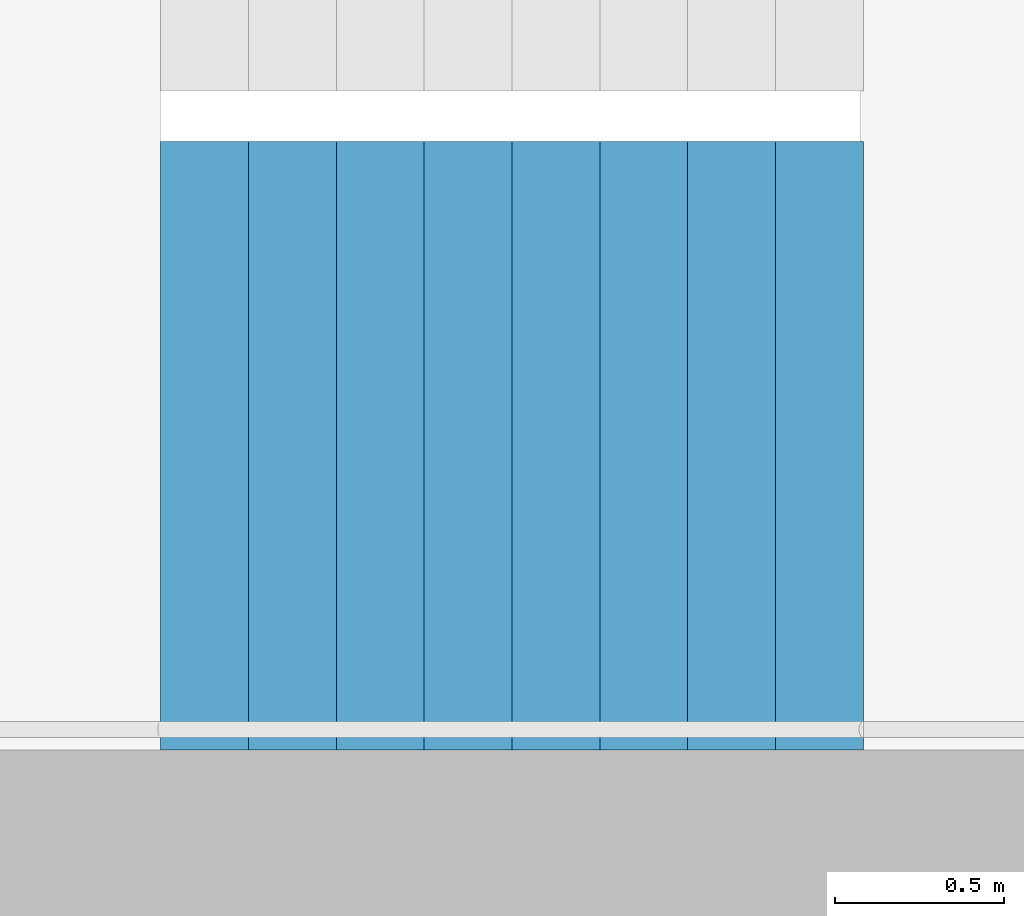
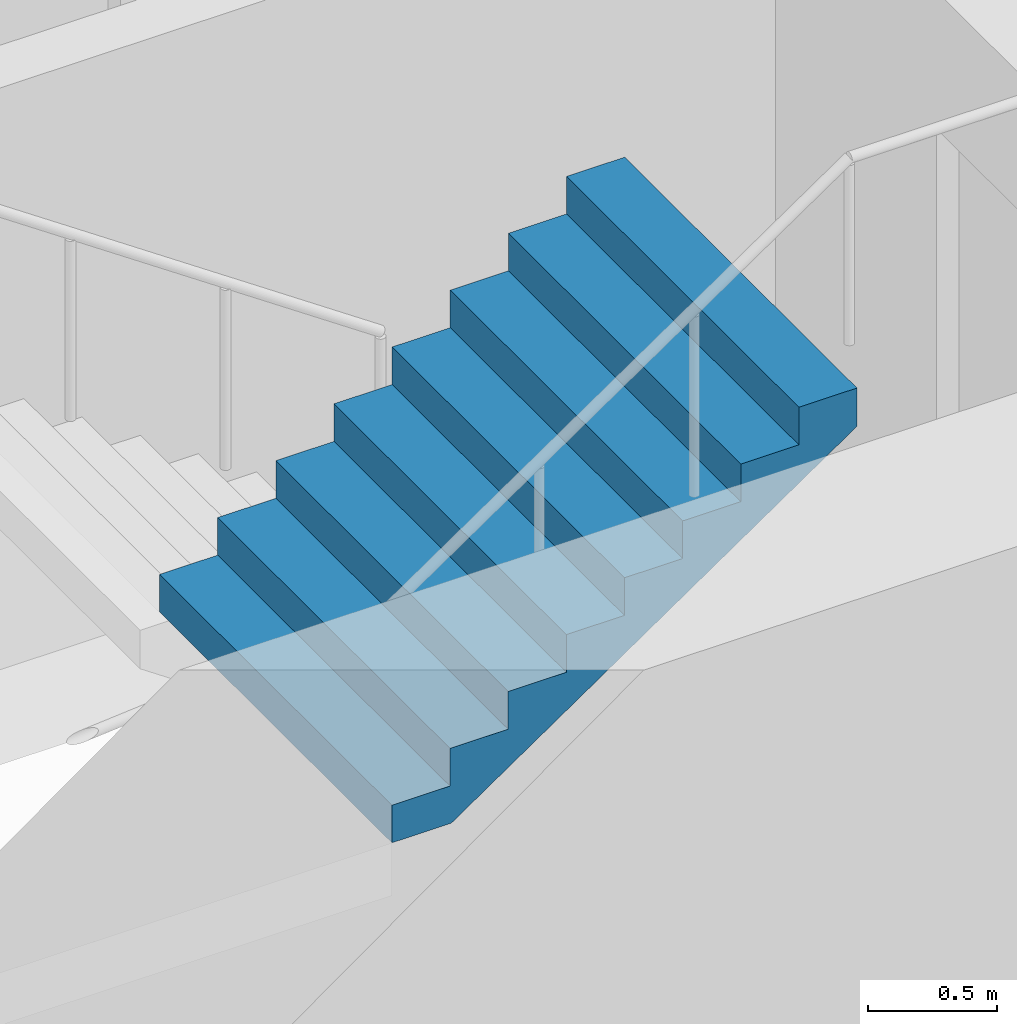
# One storey, part 17 of 25: 1 stair flight, 1 element without a shape of its own.
"""IFC4 building model written with IfcOpenShell, lengths in metres."""

from ifc_helpers import new_model, si_unit, direction, frame, origin, place, context, subcontext, project, spatial, triangles, material, type_object, element, aggregate, save


model = new_model("IFC4")

# Units and contexts
model_context = context("Model", 3, precision=1e-05, world=origin(), true_north=direction((0.0, 1.0)))
body_context = subcontext(model_context, "Body", "Model", "MODEL_VIEW")
ifc_project = project(units=[si_unit("LENGTHUNIT", "METRE"), si_unit("AREAUNIT", "SQUARE_METRE"), si_unit("VOLUMEUNIT", "CUBIC_METRE"), si_unit("PLANEANGLEUNIT", "RADIAN"), si_unit("MASSUNIT", "GRAM", prefix="KILO")], contexts=[model_context])

# Site, building, storey
site_placement = place(None, origin())
site = spatial("IfcSite", under=ifc_project, at=site_placement, CompositionType="ELEMENT")
building_placement = place(site_placement, origin())
building = spatial("IfcBuilding", under=site, at=building_placement, Name="Hakoniwa Tower and Hamabe Station Hall", CompositionType="ELEMENT")
storey_placement = place(building_placement, frame((0.0, 0.0, 147.0)))
storey = spatial("IfcBuildingStorey", under=building, at=storey_placement, Name="L41", CompositionType="ELEMENT", Elevation=147.0)

# Stair, stair flight
ifc_material_1 = material(Name="Concrete C40", Category="concrete")
stair_type = type_object("IfcStairType", Name="ESCAPE STAIR 1800", PredefinedType="HALF_TURN_STAIR", material=ifc_material_1)
stair_placement = place(storey_placement, origin())
stair = element("IfcStair", 1, at=stair_placement, inside=storey, type_object=stair_type, Name="Escape stair ST-2 L41", PredefinedType="HALF_TURN_STAIR")
ifc_material_2 = material(Name="Concrete C40", Category="concrete")
stair_flight_type = type_object("IfcStairFlightType", Name="STAIR FLIGHT 1800", PredefinedType="STRAIGHT", material=ifc_material_2)
stair_flight_placement = place(storey_placement, frame((-25.47998046875, -6.60009765625, 1.60009765625), z_axis=(0.0, 0.0, 1.0), x_axis=(1.0, 0.0, 0.0)))
stair_flight = element("IfcStairFlight", 2, at=stair_flight_placement, type_object=stair_flight_type, Name="ST-2 flight 2", NumberOfRisers=9, NumberOfTreads=8, PredefinedType="STRAIGHT", RiserHeight=0.177777778, TreadLength=0.26, context=body_context, shape_type="Tessellation", body=[
    triangles([(0.0, 0.89990234375, 0.0), (0.260009765625, 0.89990234375, 0.0), (0.265625, 0.89990234375, 0.0), (0.52001953125, 0.89990234375, 0.174072265625), (0.780029296875, 0.89990234375, 0.351806640625), (1.0400390625, 0.89990234375, 0.529541015625), (1.300048828125, 0.89990234375, 0.707275390625), (1.56005859375, 0.89990234375, 0.885009765625), (1.820068359375, 0.89990234375, 1.062744140625), (2.080078125, 0.89990234375, 1.24072265625), (2.080078125, 0.89990234375, 1.422119140625), (1.820068359375, 0.89990234375, 1.422119140625), (1.820068359375, 0.89990234375, 1.244384765625), (1.56005859375, 0.89990234375, 1.244384765625), (1.56005859375, 0.89990234375, 1.066650390625), (1.300048828125, 0.89990234375, 1.066650390625), (1.300048828125, 0.89990234375, 0.888916015625), (1.0400390625, 0.89990234375, 0.888916015625), (1.0400390625, 0.89990234375, 0.711181640625), (0.780029296875, 0.89990234375, 0.711181640625), (0.780029296875, 0.89990234375, 0.533447265625), (0.52001953125, 0.89990234375, 0.533447265625), (0.52001953125, 0.89990234375, 0.35546875), (0.265625, 0.89990234375, 0.35546875), (0.260009765625, 0.89990234375, 0.35546875), (0.260009765625, 0.89990234375, 0.177734375), (0.0, 0.89990234375, 0.177734375), (0.0, 0.06005859375, 0.0), (0.260009765625, 0.06005859375, 0.0), (0.265625, 0.06005859375, 0.0), (0.52001953125, 0.06005859375, 0.174072265625), (0.780029296875, 0.06005859375, 0.351806640625), (1.0400390625, 0.06005859375, 0.529541015625), (1.300048828125, 0.06005859375, 0.707275390625), (1.56005859375, 0.06005859375, 0.885009765625), (1.820068359375, 0.06005859375, 1.062744140625), (2.080078125, 0.06005859375, 1.24072265625), (2.080078125, 0.06005859375, 1.422119140625), (1.820068359375, 0.06005859375, 1.422119140625), (1.820068359375, 0.06005859375, 1.244384765625), (1.56005859375, 0.06005859375, 1.244384765625), (1.56005859375, 0.06005859375, 1.066650390625), (1.300048828125, 0.06005859375, 1.066650390625), (1.300048828125, 0.06005859375, 0.888916015625), (1.0400390625, 0.06005859375, 0.888916015625), (1.0400390625, 0.06005859375, 0.711181640625), (0.780029296875, 0.06005859375, 0.711181640625), (0.780029296875, 0.06005859375, 0.533447265625), (0.52001953125, 0.06005859375, 0.533447265625), (0.52001953125, 0.06005859375, 0.35546875), (0.265625, 0.06005859375, 0.35546875), (0.260009765625, 0.06005859375, 0.35546875), (0.260009765625, 0.06005859375, 0.177734375), (0.0, 0.06005859375, 0.177734375), (0.0, 0.04296875, 0.0), (0.260009765625, 0.04296875, 0.0), (0.265625, 0.04296875, 0.0), (0.52001953125, 0.04296875, 0.174072265625), (0.780029296875, 0.04296875, 0.351806640625), (1.0400390625, 0.04296875, 0.529541015625), (1.300048828125, 0.04296875, 0.707275390625), (1.56005859375, 0.04296875, 0.885009765625), (1.820068359375, 0.04296875, 1.062744140625), (2.080078125, 0.04296875, 1.24072265625), (2.080078125, 0.04296875, 1.422119140625), (1.820068359375, 0.04296875, 1.422119140625), (1.820068359375, 0.04296875, 1.244384765625), (1.56005859375, 0.04296875, 1.244384765625), (1.56005859375, 0.04296875, 1.066650390625), (1.300048828125, 0.04296875, 1.066650390625), (1.300048828125, 0.04296875, 0.888916015625), (1.0400390625, 0.04296875, 0.888916015625), (1.0400390625, 0.04296875, 0.711181640625), (0.780029296875, 0.04296875, 0.711181640625), (0.780029296875, 0.04296875, 0.533447265625), (0.52001953125, 0.04296875, 0.533447265625), (0.52001953125, 0.04296875, 0.35546875), (0.265625, 0.04296875, 0.35546875), (0.260009765625, 0.04296875, 0.35546875), (0.260009765625, 0.04296875, 0.177734375), (0.0, 0.04296875, 0.177734375), (0.0, 0.025634765625, 0.0), (0.260009765625, 0.025634765625, 0.0), (0.265625, 0.025634765625, 0.0), (0.52001953125, 0.025634765625, 0.174072265625), (0.780029296875, 0.025634765625, 0.351806640625), (1.0400390625, 0.025634765625, 0.529541015625), (1.300048828125, 0.025634765625, 0.707275390625), (1.56005859375, 0.025634765625, 0.885009765625), (1.820068359375, 0.025634765625, 1.062744140625), (2.080078125, 0.025634765625, 1.24072265625), (2.080078125, 0.025634765625, 1.422119140625), (1.820068359375, 0.025634765625, 1.422119140625), (1.820068359375, 0.025634765625, 1.244384765625), (1.56005859375, 0.025634765625, 1.244384765625), (1.56005859375, 0.025634765625, 1.066650390625), (1.300048828125, 0.025634765625, 1.066650390625), (1.300048828125, 0.025634765625, 0.888916015625), (1.0400390625, 0.025634765625, 0.888916015625), (1.0400390625, 0.025634765625, 0.711181640625), (0.780029296875, 0.025634765625, 0.711181640625), (0.780029296875, 0.025634765625, 0.533447265625), (0.52001953125, 0.025634765625, 0.533447265625), (0.52001953125, 0.025634765625, 0.35546875), (0.265625, 0.025634765625, 0.35546875), (0.260009765625, 0.025634765625, 0.35546875), (0.260009765625, 0.025634765625, 0.177734375), (0.0, 0.025634765625, 0.177734375), (0.0, 0.008544921875, 0.0), (0.260009765625, 0.008544921875, 0.0), (0.265625, 0.008544921875, 0.0), (0.52001953125, 0.008544921875, 0.174072265625), (0.780029296875, 0.008544921875, 0.351806640625), (1.0400390625, 0.008544921875, 0.529541015625), (1.300048828125, 0.008544921875, 0.707275390625), (1.56005859375, 0.008544921875, 0.885009765625), (1.820068359375, 0.008544921875, 1.062744140625), (2.080078125, 0.008544921875, 1.24072265625), (2.080078125, 0.008544921875, 1.422119140625), (1.820068359375, 0.008544921875, 1.422119140625), (1.820068359375, 0.008544921875, 1.244384765625), (1.56005859375, 0.008544921875, 1.244384765625), (1.56005859375, 0.008544921875, 1.066650390625), (1.300048828125, 0.008544921875, 1.066650390625), (1.300048828125, 0.008544921875, 0.888916015625), (1.0400390625, 0.008544921875, 0.888916015625), (1.0400390625, 0.008544921875, 0.711181640625), (0.780029296875, 0.008544921875, 0.711181640625), (0.780029296875, 0.008544921875, 0.533447265625), (0.52001953125, 0.008544921875, 0.533447265625), (0.52001953125, 0.008544921875, 0.35546875), (0.265625, 0.008544921875, 0.35546875), (0.260009765625, 0.008544921875, 0.35546875), (0.260009765625, 0.008544921875, 0.177734375), (0.0, 0.008544921875, 0.177734375), (0.0, -0.008544921875, 0.0), (0.260009765625, -0.008544921875, 0.0), (0.265625, -0.008544921875, 0.0), (0.52001953125, -0.008544921875, 0.174072265625), (0.780029296875, -0.008544921875, 0.351806640625), (1.0400390625, -0.008544921875, 0.529541015625), (1.300048828125, -0.008544921875, 0.707275390625), (1.56005859375, -0.008544921875, 0.885009765625), (1.820068359375, -0.008544921875, 1.062744140625), (2.080078125, -0.008544921875, 1.24072265625), (2.080078125, -0.008544921875, 1.422119140625), (1.820068359375, -0.008544921875, 1.422119140625), (1.820068359375, -0.008544921875, 1.244384765625), (1.56005859375, -0.008544921875, 1.244384765625), (1.56005859375, -0.008544921875, 1.066650390625), (1.300048828125, -0.008544921875, 1.066650390625), (1.300048828125, -0.008544921875, 0.888916015625), (1.0400390625, -0.008544921875, 0.888916015625), (1.0400390625, -0.008544921875, 0.711181640625), (0.780029296875, -0.008544921875, 0.711181640625), (0.780029296875, -0.008544921875, 0.533447265625), (0.52001953125, -0.008544921875, 0.533447265625), (0.52001953125, -0.008544921875, 0.35546875), (0.265625, -0.008544921875, 0.35546875), (0.260009765625, -0.008544921875, 0.35546875), (0.260009765625, -0.008544921875, 0.177734375), (0.0, -0.008544921875, 0.177734375), (0.0, -0.025634765625, 0.0), (0.260009765625, -0.025634765625, 0.0), (0.265625, -0.025634765625, 0.0), (0.52001953125, -0.025634765625, 0.174072265625), (0.780029296875, -0.025634765625, 0.351806640625), (1.0400390625, -0.025634765625, 0.529541015625), (1.300048828125, -0.025634765625, 0.707275390625), (1.56005859375, -0.025634765625, 0.885009765625), (1.820068359375, -0.025634765625, 1.062744140625), (2.080078125, -0.025634765625, 1.24072265625), (2.080078125, -0.025634765625, 1.422119140625), (1.820068359375, -0.025634765625, 1.422119140625), (1.820068359375, -0.025634765625, 1.244384765625), (1.56005859375, -0.025634765625, 1.244384765625), (1.56005859375, -0.025634765625, 1.066650390625), (1.300048828125, -0.025634765625, 1.066650390625), (1.300048828125, -0.025634765625, 0.888916015625), (1.0400390625, -0.025634765625, 0.888916015625), (1.0400390625, -0.025634765625, 0.711181640625), (0.780029296875, -0.025634765625, 0.711181640625), (0.780029296875, -0.025634765625, 0.533447265625), (0.52001953125, -0.025634765625, 0.533447265625), (0.52001953125, -0.025634765625, 0.35546875), (0.265625, -0.025634765625, 0.35546875), (0.260009765625, -0.025634765625, 0.35546875), (0.260009765625, -0.025634765625, 0.177734375), (0.0, -0.025634765625, 0.177734375), (0.0, -0.04296875, 0.0), (0.260009765625, -0.04296875, 0.0), (0.265625, -0.04296875, 0.0), (0.52001953125, -0.04296875, 0.174072265625), (0.780029296875, -0.04296875, 0.351806640625), (1.0400390625, -0.04296875, 0.529541015625), (1.300048828125, -0.04296875, 0.707275390625), (1.56005859375, -0.04296875, 0.885009765625), (1.820068359375, -0.04296875, 1.062744140625), (2.080078125, -0.04296875, 1.24072265625), (2.080078125, -0.04296875, 1.422119140625), (1.820068359375, -0.04296875, 1.422119140625), (1.820068359375, -0.04296875, 1.244384765625), (1.56005859375, -0.04296875, 1.244384765625), (1.56005859375, -0.04296875, 1.066650390625), (1.300048828125, -0.04296875, 1.066650390625), (1.300048828125, -0.04296875, 0.888916015625), (1.0400390625, -0.04296875, 0.888916015625), (1.0400390625, -0.04296875, 0.711181640625), (0.780029296875, -0.04296875, 0.711181640625), (0.780029296875, -0.04296875, 0.533447265625), (0.52001953125, -0.04296875, 0.533447265625), (0.52001953125, -0.04296875, 0.35546875), (0.265625, -0.04296875, 0.35546875), (0.260009765625, -0.04296875, 0.35546875), (0.260009765625, -0.04296875, 0.177734375), (0.0, -0.04296875, 0.177734375), (0.0, -0.06005859375, 0.0), (0.260009765625, -0.06005859375, 0.0), (0.265625, -0.06005859375, 0.0), (0.52001953125, -0.06005859375, 0.174072265625), (0.780029296875, -0.06005859375, 0.351806640625), (1.0400390625, -0.06005859375, 0.529541015625), (1.300048828125, -0.06005859375, 0.707275390625), (1.56005859375, -0.06005859375, 0.885009765625), (1.820068359375, -0.06005859375, 1.062744140625), (2.080078125, -0.06005859375, 1.24072265625), (2.080078125, -0.06005859375, 1.422119140625), (1.820068359375, -0.06005859375, 1.422119140625), (1.820068359375, -0.06005859375, 1.244384765625), (1.56005859375, -0.06005859375, 1.244384765625), (1.56005859375, -0.06005859375, 1.066650390625), (1.300048828125, -0.06005859375, 1.066650390625), (1.300048828125, -0.06005859375, 0.888916015625), (1.0400390625, -0.06005859375, 0.888916015625), (1.0400390625, -0.06005859375, 0.711181640625), (0.780029296875, -0.06005859375, 0.711181640625), (0.780029296875, -0.06005859375, 0.533447265625), (0.52001953125, -0.06005859375, 0.533447265625), (0.52001953125, -0.06005859375, 0.35546875), (0.265625, -0.06005859375, 0.35546875), (0.260009765625, -0.06005859375, 0.35546875), (0.260009765625, -0.06005859375, 0.177734375), (0.0, -0.06005859375, 0.177734375), (0.0, -0.89990234375, 0.0), (0.260009765625, -0.89990234375, 0.0), (0.265625, -0.89990234375, 0.0), (0.52001953125, -0.89990234375, 0.174072265625), (0.780029296875, -0.89990234375, 0.351806640625), (1.0400390625, -0.89990234375, 0.529541015625), (1.300048828125, -0.89990234375, 0.707275390625), (1.56005859375, -0.89990234375, 0.885009765625), (1.820068359375, -0.89990234375, 1.062744140625), (2.080078125, -0.89990234375, 1.24072265625), (2.080078125, -0.89990234375, 1.422119140625), (1.820068359375, -0.89990234375, 1.422119140625), (1.820068359375, -0.89990234375, 1.244384765625), (1.56005859375, -0.89990234375, 1.244384765625), (1.56005859375, -0.89990234375, 1.066650390625), (1.300048828125, -0.89990234375, 1.066650390625), (1.300048828125, -0.89990234375, 0.888916015625), (1.0400390625, -0.89990234375, 0.888916015625), (1.0400390625, -0.89990234375, 0.711181640625), (0.780029296875, -0.89990234375, 0.711181640625), (0.780029296875, -0.89990234375, 0.533447265625), (0.52001953125, -0.89990234375, 0.533447265625), (0.52001953125, -0.89990234375, 0.35546875), (0.265625, -0.89990234375, 0.35546875), (0.260009765625, -0.89990234375, 0.35546875), (0.260009765625, -0.89990234375, 0.177734375), (0.0, -0.89990234375, 0.177734375)], [[2, 27, 26], [245, 269, 270], [2, 1, 27], [245, 270, 244], [3, 25, 24], [246, 267, 268], [3, 26, 25], [246, 268, 269], [3, 2, 26], [246, 269, 245], [4, 24, 23], [247, 266, 267], [4, 3, 24], [247, 267, 246], [5, 22, 21], [248, 264, 265], [5, 23, 22], [248, 265, 266], [5, 4, 23], [248, 266, 247], [6, 20, 19], [249, 262, 263], [6, 21, 20], [249, 263, 264], [6, 5, 21], [249, 264, 248], [7, 18, 17], [250, 260, 261], [7, 19, 18], [250, 261, 262], [7, 6, 19], [250, 262, 249], [8, 16, 15], [251, 258, 259], [8, 17, 16], [251, 259, 260], [8, 7, 17], [251, 260, 250], [9, 14, 13], [252, 256, 257], [9, 15, 14], [252, 257, 258], [9, 8, 15], [252, 258, 251], [10, 12, 11], [253, 254, 255], [10, 13, 12], [253, 255, 256], [10, 9, 13], [253, 256, 252], [1, 2, 29], [1, 29, 28], [28, 29, 56], [28, 56, 55], [55, 56, 83], [55, 83, 82], [82, 83, 110], [82, 110, 109], [109, 110, 137], [109, 137, 136], [136, 137, 164], [136, 164, 163], [163, 164, 191], [163, 191, 190], [190, 191, 218], [190, 218, 217], [217, 218, 245], [217, 245, 244], [2, 3, 30], [2, 30, 29], [29, 30, 57], [29, 57, 56], [56, 57, 84], [56, 84, 83], [83, 84, 111], [83, 111, 110], [110, 111, 138], [110, 138, 137], [137, 138, 165], [137, 165, 164], [164, 165, 192], [164, 192, 191], [191, 192, 219], [191, 219, 218], [218, 219, 246], [218, 246, 245], [3, 4, 31], [3, 31, 30], [30, 31, 58], [30, 58, 57], [57, 58, 85], [57, 85, 84], [84, 85, 112], [84, 112, 111], [111, 112, 139], [111, 139, 138], [138, 139, 166], [138, 166, 165], [165, 166, 193], [165, 193, 192], [192, 193, 220], [192, 220, 219], [219, 220, 247], [219, 247, 246], [4, 5, 32], [4, 32, 31], [31, 32, 59], [31, 59, 58], [58, 59, 86], [58, 86, 85], [85, 86, 113], [85, 113, 112], [112, 113, 140], [112, 140, 139], [139, 140, 167], [139, 167, 166], [166, 167, 194], [166, 194, 193], [193, 194, 221], [193, 221, 220], [220, 221, 248], [220, 248, 247], [5, 6, 33], [5, 33, 32], [32, 33, 60], [32, 60, 59], [59, 60, 87], [59, 87, 86], [86, 87, 114], [86, 114, 113], [113, 114, 141], [113, 141, 140], [140, 141, 168], [140, 168, 167], [167, 168, 195], [167, 195, 194], [194, 195, 222], [194, 222, 221], [221, 222, 249], [221, 249, 248], [6, 7, 34], [6, 34, 33], [33, 34, 61], [33, 61, 60], [60, 61, 88], [60, 88, 87], [87, 88, 115], [87, 115, 114], [114, 115, 142], [114, 142, 141], [141, 142, 169], [141, 169, 168], [168, 169, 196], [168, 196, 195], [195, 196, 223], [195, 223, 222], [222, 223, 250], [222, 250, 249], [7, 8, 35], [7, 35, 34], [34, 35, 62], [34, 62, 61], [61, 62, 89], [61, 89, 88], [88, 89, 116], [88, 116, 115], [115, 116, 143], [115, 143, 142], [142, 143, 170], [142, 170, 169], [169, 170, 197], [169, 197, 196], [196, 197, 224], [196, 224, 223], [223, 224, 251], [223, 251, 250], [8, 9, 36], [8, 36, 35], [35, 36, 63], [35, 63, 62], [62, 63, 90], [62, 90, 89], [89, 90, 117], [89, 117, 116], [116, 117, 144], [116, 144, 143], [143, 144, 171], [143, 171, 170], [170, 171, 198], [170, 198, 197], [197, 198, 225], [197, 225, 224], [224, 225, 252], [224, 252, 251], [9, 10, 37], [9, 37, 36], [36, 37, 64], [36, 64, 63], [63, 64, 91], [63, 91, 90], [90, 91, 118], [90, 118, 117], [117, 118, 145], [117, 145, 144], [144, 145, 172], [144, 172, 171], [171, 172, 199], [171, 199, 198], [198, 199, 226], [198, 226, 225], [225, 226, 253], [225, 253, 252], [10, 11, 38], [10, 38, 37], [37, 38, 65], [37, 65, 64], [64, 65, 92], [64, 92, 91], [91, 92, 119], [91, 119, 118], [118, 119, 146], [118, 146, 145], [145, 146, 173], [145, 173, 172], [172, 173, 200], [172, 200, 199], [199, 200, 227], [199, 227, 226], [226, 227, 254], [226, 254, 253], [11, 12, 39], [11, 39, 38], [38, 39, 66], [38, 66, 65], [65, 66, 93], [65, 93, 92], [92, 93, 120], [92, 120, 119], [119, 120, 147], [119, 147, 146], [146, 147, 174], [146, 174, 173], [173, 174, 201], [173, 201, 200], [200, 201, 228], [200, 228, 227], [227, 228, 255], [227, 255, 254], [12, 13, 40], [12, 40, 39], [39, 40, 67], [39, 67, 66], [66, 67, 94], [66, 94, 93], [93, 94, 121], [93, 121, 120], [120, 121, 148], [120, 148, 147], [147, 148, 175], [147, 175, 174], [174, 175, 202], [174, 202, 201], [201, 202, 229], [201, 229, 228], [228, 229, 256], [228, 256, 255], [13, 14, 41], [13, 41, 40], [40, 41, 68], [40, 68, 67], [67, 68, 95], [67, 95, 94], [94, 95, 122], [94, 122, 121], [121, 122, 149], [121, 149, 148], [148, 149, 176], [148, 176, 175], [175, 176, 203], [175, 203, 202], [202, 203, 230], [202, 230, 229], [229, 230, 257], [229, 257, 256], [14, 15, 42], [14, 42, 41], [41, 42, 69], [41, 69, 68], [68, 69, 96], [68, 96, 95], [95, 96, 123], [95, 123, 122], [122, 123, 150], [122, 150, 149], [149, 150, 177], [149, 177, 176], [176, 177, 204], [176, 204, 203], [203, 204, 231], [203, 231, 230], [230, 231, 258], [230, 258, 257], [15, 16, 43], [15, 43, 42], [42, 43, 70], [42, 70, 69], [69, 70, 97], [69, 97, 96], [96, 97, 124], [96, 124, 123], [123, 124, 151], [123, 151, 150], [150, 151, 178], [150, 178, 177], [177, 178, 205], [177, 205, 204], [204, 205, 232], [204, 232, 231], [231, 232, 259], [231, 259, 258], [16, 17, 44], [16, 44, 43], [43, 44, 71], [43, 71, 70], [70, 71, 98], [70, 98, 97], [97, 98, 125], [97, 125, 124], [124, 125, 152], [124, 152, 151], [151, 152, 179], [151, 179, 178], [178, 179, 206], [178, 206, 205], [205, 206, 233], [205, 233, 232], [232, 233, 260], [232, 260, 259], [17, 18, 45], [17, 45, 44], [44, 45, 72], [44, 72, 71], [71, 72, 99], [71, 99, 98], [98, 99, 126], [98, 126, 125], [125, 126, 153], [125, 153, 152], [152, 153, 180], [152, 180, 179], [179, 180, 207], [179, 207, 206], [206, 207, 234], [206, 234, 233], [233, 234, 261], [233, 261, 260], [18, 19, 46], [18, 46, 45], [45, 46, 73], [45, 73, 72], [72, 73, 100], [72, 100, 99], [99, 100, 127], [99, 127, 126], [126, 127, 154], [126, 154, 153], [153, 154, 181], [153, 181, 180], [180, 181, 208], [180, 208, 207], [207, 208, 235], [207, 235, 234], [234, 235, 262], [234, 262, 261], [19, 20, 47], [19, 47, 46], [46, 47, 74], [46, 74, 73], [73, 74, 101], [73, 101, 100], [100, 101, 128], [100, 128, 127], [127, 128, 155], [127, 155, 154], [154, 155, 182], [154, 182, 181], [181, 182, 209], [181, 209, 208], [208, 209, 236], [208, 236, 235], [235, 236, 263], [235, 263, 262], [20, 21, 48], [20, 48, 47], [47, 48, 75], [47, 75, 74], [74, 75, 102], [74, 102, 101], [101, 102, 129], [101, 129, 128], [128, 129, 156], [128, 156, 155], [155, 156, 183], [155, 183, 182], [182, 183, 210], [182, 210, 209], [209, 210, 237], [209, 237, 236], [236, 237, 264], [236, 264, 263], [21, 22, 49], [21, 49, 48], [48, 49, 76], [48, 76, 75], [75, 76, 103], [75, 103, 102], [102, 103, 130], [102, 130, 129], [129, 130, 157], [129, 157, 156], [156, 157, 184], [156, 184, 183], [183, 184, 211], [183, 211, 210], [210, 211, 238], [210, 238, 237], [237, 238, 265], [237, 265, 264], [22, 23, 50], [22, 50, 49], [49, 50, 77], [49, 77, 76], [76, 77, 104], [76, 104, 103], [103, 104, 131], [103, 131, 130], [130, 131, 158], [130, 158, 157], [157, 158, 185], [157, 185, 184], [184, 185, 212], [184, 212, 211], [211, 212, 239], [211, 239, 238], [238, 239, 266], [238, 266, 265], [23, 24, 51], [23, 51, 50], [50, 51, 78], [50, 78, 77], [77, 78, 105], [77, 105, 104], [104, 105, 132], [104, 132, 131], [131, 132, 159], [131, 159, 158], [158, 159, 186], [158, 186, 185], [185, 186, 213], [185, 213, 212], [212, 213, 240], [212, 240, 239], [239, 240, 267], [239, 267, 266], [24, 25, 52], [24, 52, 51], [51, 52, 79], [51, 79, 78], [78, 79, 106], [78, 106, 105], [105, 106, 133], [105, 133, 132], [132, 133, 160], [132, 160, 159], [159, 160, 187], [159, 187, 186], [186, 187, 214], [186, 214, 213], [213, 214, 241], [213, 241, 240], [240, 241, 268], [240, 268, 267], [25, 26, 53], [25, 53, 52], [52, 53, 80], [52, 80, 79], [79, 80, 107], [79, 107, 106], [106, 107, 134], [106, 134, 133], [133, 134, 161], [133, 161, 160], [160, 161, 188], [160, 188, 187], [187, 188, 215], [187, 215, 214], [214, 215, 242], [214, 242, 241], [241, 242, 269], [241, 269, 268], [26, 27, 54], [26, 54, 53], [53, 54, 81], [53, 81, 80], [80, 81, 108], [80, 108, 107], [107, 108, 135], [107, 135, 134], [134, 135, 162], [134, 162, 161], [161, 162, 189], [161, 189, 188], [188, 189, 216], [188, 216, 215], [215, 216, 243], [215, 243, 242], [242, 243, 270], [242, 270, 269], [27, 1, 28], [27, 28, 54], [54, 28, 55], [54, 55, 81], [81, 55, 82], [81, 82, 108], [108, 82, 109], [108, 109, 135], [135, 109, 136], [135, 136, 162], [162, 136, 163], [162, 163, 189], [189, 163, 190], [189, 190, 216], [216, 190, 217], [216, 217, 243], [243, 217, 244], [243, 244, 270]], closed=True),
])
aggregate(stair, [stair_flight])

save(model, "model.ifc")
